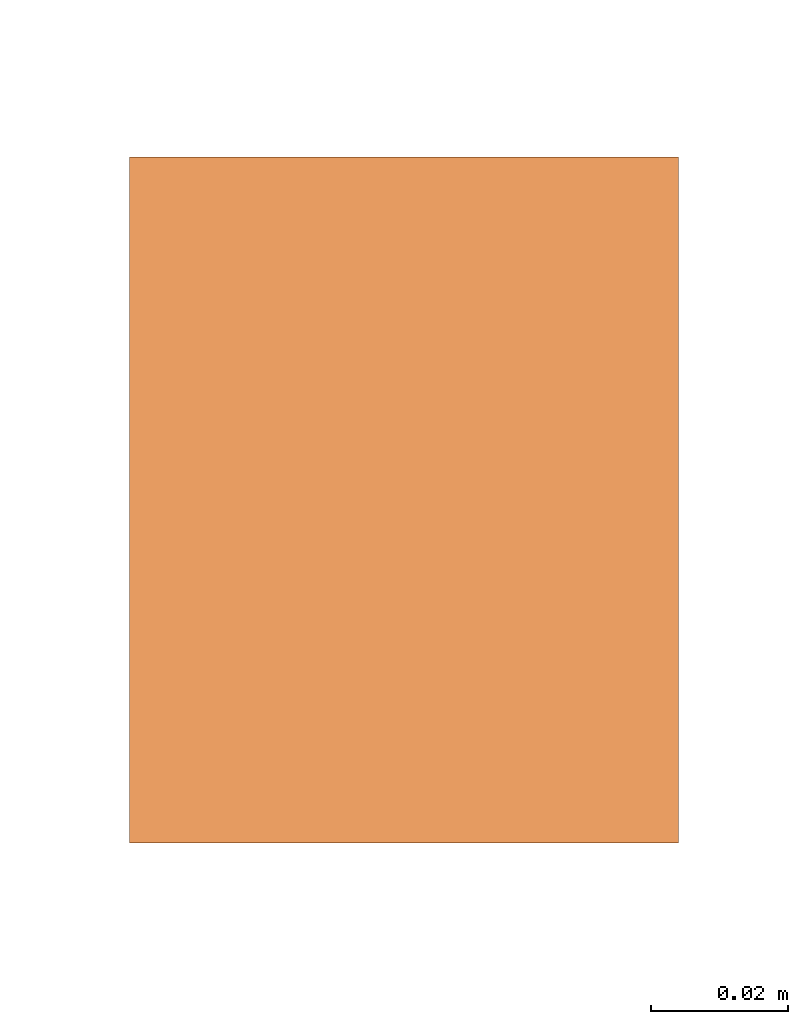
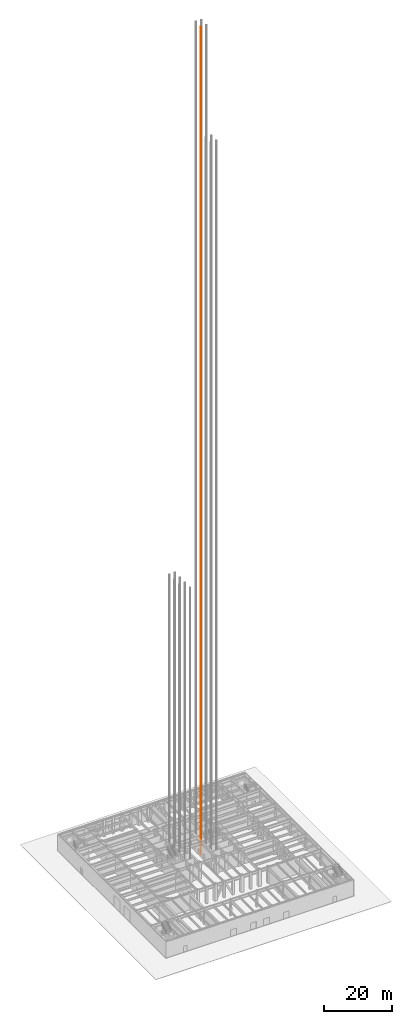
# One storey, part 32 of 35: 1 proxy.
"""IFC4 building model written with IfcOpenShell, lengths in metres."""

from ifc_helpers import new_model, si_unit, direction, frame, origin, origin_2d, place, context, subcontext, project, spatial, rectangle, extrude, material, type_object, element, save


model = new_model("IFC4")

# Units and contexts
model_context = context("Model", 3, precision=1e-05, world=origin(), true_north=direction((0.0, 1.0)))
body_context = subcontext(model_context, "Body", "Model", "MODEL_VIEW")
ifc_project = project(units=[si_unit("LENGTHUNIT", "METRE"), si_unit("AREAUNIT", "SQUARE_METRE"), si_unit("VOLUMEUNIT", "CUBIC_METRE"), si_unit("PLANEANGLEUNIT", "RADIAN"), si_unit("MASSUNIT", "GRAM", prefix="KILO")], contexts=[model_context])

# Site, building, storey
site_placement = place(None, origin())
site = spatial("IfcSite", under=ifc_project, at=site_placement, CompositionType="ELEMENT")
building_placement = place(site_placement, origin())
building = spatial("IfcBuilding", under=site, at=building_placement, Name="Chuquiago Exchange Tower", CompositionType="ELEMENT")
storey_placement = place(building_placement, origin())
storey = spatial("IfcBuildingStorey", under=building, at=storey_placement, Name="L00", CompositionType="ELEMENT", Elevation=0.0)

# Proxy
ifc_material = material(Name="Galvanised steel guide rail", Category="steel")
building_element_proxy_type = type_object("IfcBuildingElementProxyType", Name="LR lift guide rail", PredefinedType="NOTDEFINED", material=ifc_material)
proxy_placement = place(storey_placement, frame((26.06494140625, 22.5, 0.0), z_axis=(0.0, 0.0, 1.0), x_axis=(1.0, 0.0, 0.0)))
element("IfcBuildingElementProxy", 1, at=proxy_placement, inside=storey, type_object=building_element_proxy_type, Name="Lift LS3 guide rail W", PredefinedType="NOTDEFINED", context=body_context, shape_type="SweptSolid", body=[
    extrude(rectangle(XDim=0.080078125, YDim=0.10009765625, at=origin_2d()), origin(), (0.0, 0.0, 1.0), 298.699951171875),
])

save(model, "model.ifc")
